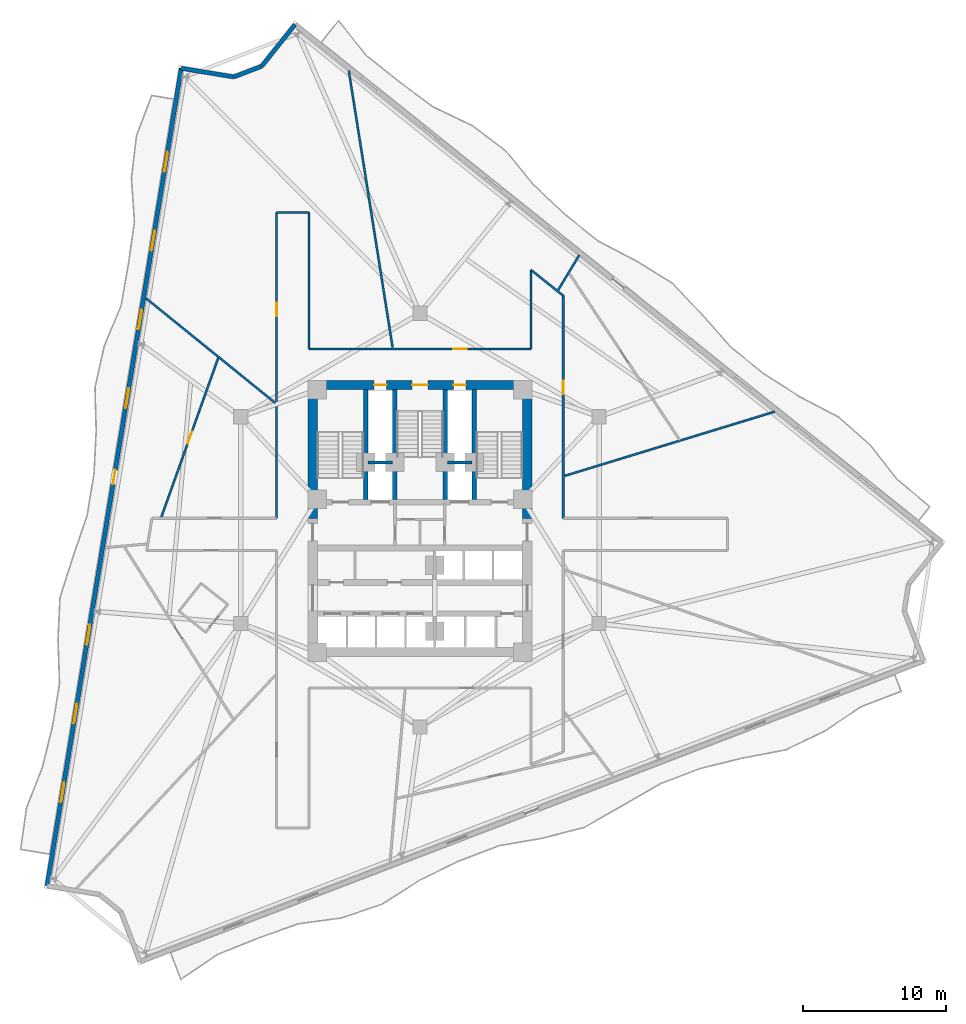
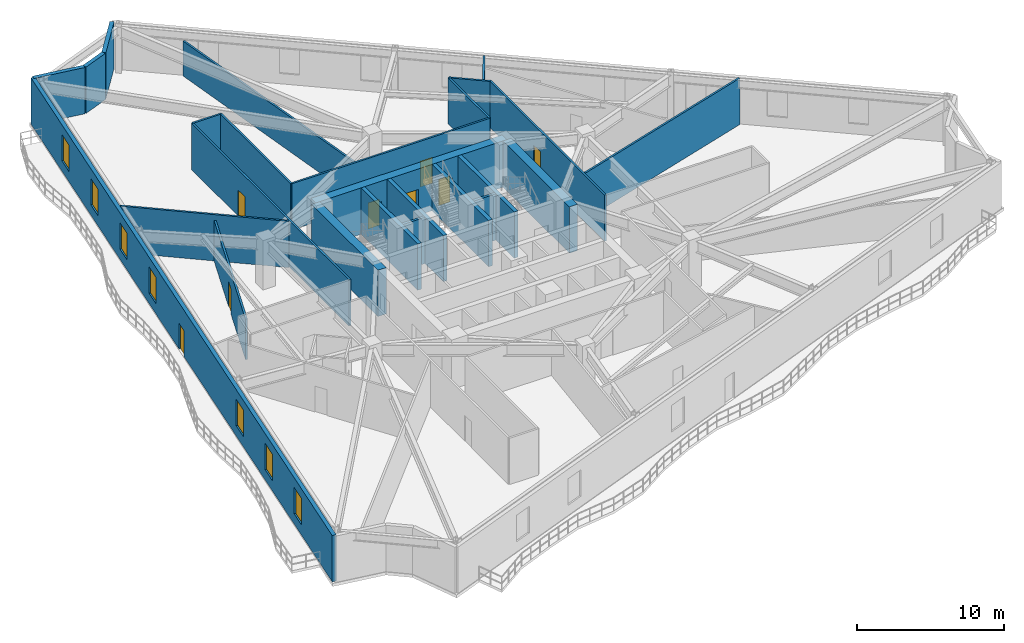
# One storey, part 6 of 11: 25 walls, 8 doors, 7 windows, 15 openings.
"""IFC4 building model written with IfcOpenShell, lengths in metres."""

from ifc_helpers import new_model, si_unit, direction, frame, frame_2d, origin, place, context, subcontext, project, spatial, rectangle, extrude, material, layer, layer_set, type_object, element, fill, save


model = new_model("IFC4")

# Units and contexts
model_context = context("Model", 3, precision=1e-05, world=origin(), true_north=direction((0.0, 1.0)))
body_context = subcontext(model_context, "Body", "Model", "MODEL_VIEW")
ifc_project = project(units=[si_unit("LENGTHUNIT", "METRE"), si_unit("AREAUNIT", "SQUARE_METRE"), si_unit("VOLUMEUNIT", "CUBIC_METRE"), si_unit("PLANEANGLEUNIT", "RADIAN"), si_unit("MASSUNIT", "GRAM", prefix="KILO")], contexts=[model_context])

# Site, building, storey
site_placement = place(None, origin())
site = spatial("IfcSite", under=ifc_project, at=site_placement, CompositionType="ELEMENT")
building_placement = place(site_placement, origin())
building = spatial("IfcBuilding", under=site, at=building_placement, Name="Apsidion Concourse Tower", CompositionType="ELEMENT")
storey_placement = place(building_placement, frame((0.0, 0.0, 140.39990234375)))
storey = spatial("IfcBuildingStorey", under=building, at=storey_placement, Name="L32", CompositionType="ELEMENT", Elevation=140.39990234375)

# Wall, openings, door, windows
ifc_material_1 = material(Name="Precast concrete C40/50", Category="concrete")
ifc_layer_1 = layer(ifc_material_1, 0.300048828125)
ifc_layer_set_1 = layer_set([ifc_layer_1], Name="Precast concrete C40/50")
wall_type_1 = type_object("IfcWallType", Name="WL-EXT-300", PredefinedType="STANDARD", material=ifc_layer_set_1)
wall_1_placement = place(storey_placement, frame((-26.149658203125, -25.64013671875, 0.0), z_axis=(0.0, 0.0, 1.0), x_axis=(0.161975761987, 0.986794736776, 0.0)))
wall_1 = element("IfcWall", 1, at=wall_1_placement, inside=storey, type_object=wall_type_1, Name="L32 Precast Stone Facade Wall 09", PredefinedType="STANDARD", context=body_context, shape_type="SweptSolid", body=[
    extrude(rectangle(XDim=58.093017578125, YDim=0.300048828125, at=frame_2d((29.04638671875, 0.0))), origin(), (0.0, 0.0, 1.0), 3.85009765625),
])
opening_1_placement = place(wall_1_placement, frame((28.54638671875, 0.0, 0.0)))
opening_1 = element("IfcOpeningElement", 2, at=opening_1_placement, cuts=wall_1, Name="Opening D-T1L", PredefinedType="OPENING", context=body_context, shape_type="SweptSolid", body=[
    extrude(rectangle(XDim=1.0, YDim=2.14990234375, at=frame_2d((0.5, 1.074951171875))), frame((0.0, 0.16015625, 0.0), z_axis=(0.0, -1.0, 0.0), x_axis=(1.0, 0.0, 0.0)), (0.0, 0.0, 1.0), 0.320068359375),
])
opening_2_placement = place(wall_1_placement, frame((5.946533203125, 0.0, 0.85009765625)))
opening_2 = element("IfcOpeningElement", 3, at=opening_2_placement, cuts=wall_1, Name="Opening WN-05", PredefinedType="OPENING", context=body_context, shape_type="SweptSolid", body=[
    extrude(rectangle(XDim=1.39990234375, YDim=2.199951171875, at=frame_2d((0.699951171875, 1.10009765625))), frame((0.0, 0.16015625, 0.0), z_axis=(0.0, -1.0, 0.0), x_axis=(1.0, 0.0, 0.0)), (0.0, 0.0, 1.0), 0.320068359375),
])
opening_3_placement = place(wall_1_placement, frame((11.54638671875, 0.0, 0.85009765625)))
opening_3 = element("IfcOpeningElement", 4, at=opening_3_placement, cuts=wall_1, Name="Opening WN-05", PredefinedType="OPENING", context=body_context, shape_type="SweptSolid", body=[
    extrude(rectangle(XDim=1.39990234375, YDim=2.199951171875, at=frame_2d((0.699951171875, 1.10009765625))), frame((0.0, 0.16015625, 0.0), z_axis=(0.0, -1.0, 0.0), x_axis=(1.0, 0.0, 0.0)), (0.0, 0.0, 1.0), 0.320068359375),
])
opening_4_placement = place(wall_1_placement, frame((17.146484375, 0.0, 0.85009765625)))
opening_4 = element("IfcOpeningElement", 5, at=opening_4_placement, cuts=wall_1, Name="Opening WN-05", PredefinedType="OPENING", context=body_context, shape_type="SweptSolid", body=[
    extrude(rectangle(XDim=1.39990234375, YDim=2.199951171875, at=frame_2d((0.699951171875, 1.10009765625))), frame((0.0, 0.16015625, 0.0), z_axis=(0.0, -1.0, 0.0), x_axis=(1.0, 0.0, 0.0)), (0.0, 0.0, 1.0), 0.320068359375),
])
opening_5_placement = place(wall_1_placement, frame((33.946533203125, 0.0, 0.85009765625)))
opening_5 = element("IfcOpeningElement", 6, at=opening_5_placement, cuts=wall_1, Name="Opening WN-05", PredefinedType="OPENING", context=body_context, shape_type="SweptSolid", body=[
    extrude(rectangle(XDim=1.39990234375, YDim=2.199951171875, at=frame_2d((0.699951171875, 1.10009765625))), frame((0.0, 0.16015625, 0.0), z_axis=(0.0, -1.0, 0.0), x_axis=(1.0, 0.0, 0.0)), (0.0, 0.0, 1.0), 0.320068359375),
])
opening_6_placement = place(wall_1_placement, frame((39.54638671875, 0.0, 0.85009765625)))
opening_6 = element("IfcOpeningElement", 7, at=opening_6_placement, cuts=wall_1, Name="Opening WN-05", PredefinedType="OPENING", context=body_context, shape_type="SweptSolid", body=[
    extrude(rectangle(XDim=1.39990234375, YDim=2.199951171875, at=frame_2d((0.699951171875, 1.10009765625))), frame((0.0, 0.16015625, 0.0), z_axis=(0.0, -1.0, 0.0), x_axis=(1.0, 0.0, 0.0)), (0.0, 0.0, 1.0), 0.320068359375),
])
opening_7_placement = place(wall_1_placement, frame((45.146484375, 0.0, 0.85009765625)))
opening_7 = element("IfcOpeningElement", 8, at=opening_7_placement, cuts=wall_1, Name="Opening WN-05", PredefinedType="OPENING", context=body_context, shape_type="SweptSolid", body=[
    extrude(rectangle(XDim=1.39990234375, YDim=2.199951171875, at=frame_2d((0.699951171875, 1.10009765625))), frame((0.0, 0.16015625, 0.0), z_axis=(0.0, -1.0, 0.0), x_axis=(1.0, 0.0, 0.0)), (0.0, 0.0, 1.0), 0.320068359375),
])
opening_8_placement = place(wall_1_placement, frame((50.74658203125, 0.0, 0.85009765625)))
opening_8 = element("IfcOpeningElement", 9, at=opening_8_placement, cuts=wall_1, Name="Opening WN-05", PredefinedType="OPENING", context=body_context, shape_type="SweptSolid", body=[
    extrude(rectangle(XDim=1.39990234375, YDim=2.199951171875, at=frame_2d((0.699951171875, 1.10009765625))), frame((0.0, 0.16015625, 0.0), z_axis=(0.0, -1.0, 0.0), x_axis=(1.0, 0.0, 0.0)), (0.0, 0.0, 1.0), 0.320068359375),
])
ifc_material_2 = material(Name="Anodised aluminium EN AW-6063 T6", Category="aluminium")
door_type_1 = type_object("IfcDoorType", Name="DR-TER-1022L", OperationType="SINGLE_SWING_LEFT", PredefinedType="DOOR", material=ifc_material_2)
door_1_placement = place(opening_1_placement, origin())
door_1 = element("IfcDoor", 10, at=door_1_placement, inside=storey, type_object=door_type_1, Name="L32 Balcony Access Door 1", OperationType="SINGLE_SWING_LEFT", OverallHeight=2.14990234375, OverallWidth=1.0, PredefinedType="DOOR", context=body_context, shape_type="SweptSolid", body=[
    extrude(rectangle(XDim=1.0, YDim=2.14990234375, at=frame_2d((0.5, 1.074951171875))), frame((0.0, 0.02490234375, 0.0), z_axis=(0.0, -1.0, 0.0), x_axis=(1.0, 0.0, 0.0)), (0.0, 0.0, 1.0), 0.050048828125),
])
fill(opening_1, door_1)
ifc_material_3 = material(Name="Insulated laminated low-E glass", Category="glass")
window_type = type_object("IfcWindowType", Name="WN-OFF-1424", PartitioningType="SINGLE_PANEL", PredefinedType="WINDOW", material=ifc_material_3)
window_1_placement = place(opening_2_placement, origin())
window_1 = element("IfcWindow", 11, at=window_1_placement, inside=storey, type_object=window_type, Name="L32 Punched Facade Window 9-01", OverallHeight=2.199951171875, OverallWidth=1.39990234375, PartitioningType="SINGLE_PANEL", PredefinedType="WINDOW", context=body_context, shape_type="SweptSolid", body=[
    extrude(rectangle(XDim=1.39990234375, YDim=2.199951171875, at=frame_2d((0.699951171875, 1.10009765625))), frame((0.0, 0.030029296875, 0.0), z_axis=(0.0, -1.0, 0.0), x_axis=(1.0, 0.0, 0.0)), (0.0, 0.0, 1.0), 0.06005859375),
])
fill(opening_2, window_1)
window_2_placement = place(opening_3_placement, origin())
window_2 = element("IfcWindow", 12, at=window_2_placement, inside=storey, type_object=window_type, Name="L32 Punched Facade Window 9-02", OverallHeight=2.199951171875, OverallWidth=1.39990234375, PartitioningType="SINGLE_PANEL", PredefinedType="WINDOW", context=body_context, shape_type="SweptSolid", body=[
    extrude(rectangle(XDim=1.39990234375, YDim=2.199951171875, at=frame_2d((0.699951171875, 1.10009765625))), frame((0.0, 0.030029296875, 0.0), z_axis=(0.0, -1.0, 0.0), x_axis=(1.0, 0.0, 0.0)), (0.0, 0.0, 1.0), 0.06005859375),
])
fill(opening_3, window_2)
window_3_placement = place(opening_4_placement, origin())
window_3 = element("IfcWindow", 13, at=window_3_placement, inside=storey, type_object=window_type, Name="L32 Punched Facade Window 9-03", OverallHeight=2.199951171875, OverallWidth=1.39990234375, PartitioningType="SINGLE_PANEL", PredefinedType="WINDOW", context=body_context, shape_type="SweptSolid", body=[
    extrude(rectangle(XDim=1.39990234375, YDim=2.199951171875, at=frame_2d((0.699951171875, 1.10009765625))), frame((0.0, 0.030029296875, 0.0), z_axis=(0.0, -1.0, 0.0), x_axis=(1.0, 0.0, 0.0)), (0.0, 0.0, 1.0), 0.06005859375),
])
fill(opening_4, window_3)
window_4_placement = place(opening_5_placement, origin())
window_4 = element("IfcWindow", 14, at=window_4_placement, inside=storey, type_object=window_type, Name="L32 Punched Facade Window 9-06", OverallHeight=2.199951171875, OverallWidth=1.39990234375, PartitioningType="SINGLE_PANEL", PredefinedType="WINDOW", context=body_context, shape_type="SweptSolid", body=[
    extrude(rectangle(XDim=1.39990234375, YDim=2.199951171875, at=frame_2d((0.699951171875, 1.10009765625))), frame((0.0, 0.030029296875, 0.0), z_axis=(0.0, -1.0, 0.0), x_axis=(1.0, 0.0, 0.0)), (0.0, 0.0, 1.0), 0.06005859375),
])
fill(opening_5, window_4)
window_5_placement = place(opening_6_placement, origin())
window_5 = element("IfcWindow", 15, at=window_5_placement, inside=storey, type_object=window_type, Name="L32 Punched Facade Window 9-07", OverallHeight=2.199951171875, OverallWidth=1.39990234375, PartitioningType="SINGLE_PANEL", PredefinedType="WINDOW", context=body_context, shape_type="SweptSolid", body=[
    extrude(rectangle(XDim=1.39990234375, YDim=2.199951171875, at=frame_2d((0.699951171875, 1.10009765625))), frame((0.0, 0.030029296875, 0.0), z_axis=(0.0, -1.0, 0.0), x_axis=(1.0, 0.0, 0.0)), (0.0, 0.0, 1.0), 0.06005859375),
])
fill(opening_6, window_5)
window_6_placement = place(opening_7_placement, origin())
window_6 = element("IfcWindow", 16, at=window_6_placement, inside=storey, type_object=window_type, Name="L32 Punched Facade Window 9-08", OverallHeight=2.199951171875, OverallWidth=1.39990234375, PartitioningType="SINGLE_PANEL", PredefinedType="WINDOW", context=body_context, shape_type="SweptSolid", body=[
    extrude(rectangle(XDim=1.39990234375, YDim=2.199951171875, at=frame_2d((0.699951171875, 1.10009765625))), frame((0.0, 0.030029296875, 0.0), z_axis=(0.0, -1.0, 0.0), x_axis=(1.0, 0.0, 0.0)), (0.0, 0.0, 1.0), 0.06005859375),
])
fill(opening_7, window_6)
window_7_placement = place(opening_8_placement, origin())
window_7 = element("IfcWindow", 17, at=window_7_placement, inside=storey, type_object=window_type, Name="L32 Punched Facade Window 9-09", OverallHeight=2.199951171875, OverallWidth=1.39990234375, PartitioningType="SINGLE_PANEL", PredefinedType="WINDOW", context=body_context, shape_type="SweptSolid", body=[
    extrude(rectangle(XDim=1.39990234375, YDim=2.199951171875, at=frame_2d((0.699951171875, 1.10009765625))), frame((0.0, 0.030029296875, 0.0), z_axis=(0.0, -1.0, 0.0), x_axis=(1.0, 0.0, 0.0)), (0.0, 0.0, 1.0), 0.06005859375),
])
fill(opening_8, window_7)

# Walls
wall_2_placement = place(storey_placement, frame((-16.739990234375, 31.685791015625, 0.0), z_axis=(0.0, 0.0, 1.0), x_axis=(0.986793455184, -0.161983569556, 0.0)))
element("IfcWall", 18, at=wall_2_placement, inside=storey, type_object=wall_type_1, Name="L32 Precast Stone Facade Wall 10", PredefinedType="STANDARD", context=body_context, shape_type="SweptSolid", body=[
    extrude(rectangle(XDim=3.73779296875, YDim=0.300048828125, at=frame_2d((1.868896484375, 0.0))), origin(), (0.0, 0.0, 1.0), 3.85009765625),
])
wall_3_placement = place(storey_placement, frame((-13.051513671875, 31.080322265625, 0.0), z_axis=(0.0, 0.0, 1.0), x_axis=(0.933582919313, 0.35836145547, 0.0)))
element("IfcWall", 19, at=wall_3_placement, inside=storey, type_object=wall_type_1, Name="L32 Precast Stone Facade Wall 11", PredefinedType="STANDARD", context=body_context, shape_type="SweptSolid", body=[
    extrude(rectangle(XDim=2.0927734375, YDim=0.300048828125, at=frame_2d((1.04638671875, 0.0))), origin(), (0.0, 0.0, 1.0), 3.85009765625),
])
wall_4_placement = place(storey_placement, frame((-11.09765625, 31.830322265625, 0.0), z_axis=(0.0, 0.0, 1.0), x_axis=(0.624949908599, 0.78066485238, 0.0)))
element("IfcWall", 20, at=wall_4_placement, inside=storey, type_object=wall_type_1, Name="L32 Precast Stone Facade Wall 12", PredefinedType="STANDARD", context=body_context, shape_type="SweptSolid", body=[
    extrude(rectangle(XDim=3.73779296875, YDim=0.300048828125, at=frame_2d((1.868896484375, 0.0))), origin(), (0.0, 0.0, 1.0), 3.85009765625),
])

# Wall, opening, door
ifc_material_4 = material(Name="Gypsum plasterboard partition")
ifc_layer_2 = layer(ifc_material_4, 0.14990234375)
ifc_layer_set_2 = layer_set([ifc_layer_2], Name="Gypsum plasterboard partition")
wall_type_2 = type_object("IfcWallType", Name="WL-INT-PAR-150", PredefinedType="PARTITIONING", material=ifc_layer_set_2)
wall_5_placement = place(storey_placement, frame((-10.050048828125, 0.1298828125, 0.0), z_axis=(0.0, 0.0, 1.0), x_axis=(0.0, 1.0, 0.0)))
wall_5 = element("IfcWall", 21, at=wall_5_placement, inside=storey, type_object=wall_type_2, Name="L32 Interior Partition WL-L32-CORR-10", PredefinedType="PARTITIONING", context=body_context, shape_type="SweptSolid", body=[
    extrude(rectangle(XDim=21.4501953125, YDim=0.14990234375, at=frame_2d((10.72509765625, 0.0))), origin(), (0.0, 0.0, 1.0), 3.85009765625),
])
opening_9_placement = place(wall_5_placement, frame((14.171142578125, 0.0, 0.0)))
opening_9 = element("IfcOpeningElement", 22, at=opening_9_placement, cuts=wall_5, Name="Opening D-01R", PredefinedType="OPENING", context=body_context, shape_type="SweptSolid", body=[
    extrude(rectangle(XDim=0.949951171875, YDim=2.14990234375, at=frame_2d((0.47509765625, 1.074951171875))), frame((0.0, 0.0849609375, 0.0), z_axis=(0.0, -1.0, 0.0), x_axis=(1.0, 0.0, 0.0)), (0.0, 0.0, 1.0), 0.169921875),
])
ifc_material_5 = material(Name="Brushed stainless steel 316", Category="steel")
door_type_2 = type_object("IfcDoorType", Name="DR-INT-D01R", OperationType="SINGLE_SWING_RIGHT", PredefinedType="DOOR", material=ifc_material_5)
door_2_placement = place(opening_9_placement, origin())
door_2 = element("IfcDoor", 23, at=door_2_placement, inside=storey, type_object=door_type_2, Name="L32 Corridor Entry Door 08", OperationType="SINGLE_SWING_RIGHT", OverallHeight=2.14990234375, OverallWidth=0.949951171875, PredefinedType="DOOR", context=body_context, shape_type="SweptSolid", body=[
    extrude(rectangle(XDim=0.949951171875, YDim=2.14990234375, at=frame_2d((0.47509765625, 1.074951171875))), frame((0.0, 0.02490234375, 0.0), z_axis=(0.0, -1.0, 0.0), x_axis=(1.0, 0.0, 0.0)), (0.0, 0.0, 1.0), 0.050048828125),
])
fill(opening_9, door_2)

# Walls
wall_6_placement = place(storey_placement, frame((-10.050048828125, 21.580078125, 0.0), z_axis=(0.0, 0.0, 1.0), x_axis=(1.0, 0.0, 0.0)))
element("IfcWall", 24, at=wall_6_placement, inside=storey, type_object=wall_type_2, Name="L32 Interior Partition WL-L32-CORR-11", PredefinedType="PARTITIONING", context=body_context, shape_type="SweptSolid", body=[
    extrude(rectangle(XDim=2.260009765625, YDim=0.14990234375, at=frame_2d((1.1298828125, 0.0))), origin(), (0.0, 0.0, 1.0), 3.85009765625),
])
wall_7_placement = place(storey_placement, frame((-7.7900390625, 21.580078125, 0.0), z_axis=(0.0, 0.0, 1.0), x_axis=(0.0, -1.0, 0.0)))
element("IfcWall", 25, at=wall_7_placement, inside=storey, type_object=wall_type_2, Name="L32 Interior Partition WL-L32-CORR-12", PredefinedType="PARTITIONING", context=body_context, shape_type="SweptSolid", body=[
    extrude(rectangle(XDim=9.580078125, YDim=0.14990234375, at=frame_2d((4.7900390625, 0.0))), origin(), (0.0, 0.0, 1.0), 3.85009765625),
])

# Wall, opening, door
wall_8_placement = place(storey_placement, frame((-7.7900390625, 12.0, 0.0), z_axis=(0.0, 0.0, 1.0), x_axis=(1.0, 0.0, 0.0)))
wall_8 = element("IfcWall", 26, at=wall_8_placement, inside=storey, type_object=wall_type_2, Name="L32 Interior Partition WL-L32-CORR-13", PredefinedType="PARTITIONING", context=body_context, shape_type="SweptSolid", body=[
    extrude(rectangle(XDim=15.580078125, YDim=0.14990234375, at=frame_2d((7.7900390625, 0.0))), origin(), (0.0, 0.0, 1.0), 3.85009765625),
])
opening_10_placement = place(wall_8_placement, frame((10.12548828125, 0.0, 0.0)))
opening_10 = element("IfcOpeningElement", 27, at=opening_10_placement, cuts=wall_8, Name="Opening D-01L", PredefinedType="OPENING", context=body_context, shape_type="SweptSolid", body=[
    extrude(rectangle(XDim=0.949951171875, YDim=2.14990234375, at=frame_2d((0.47509765625, 1.074951171875))), frame((0.0, 0.0849609375, 0.0), z_axis=(0.0, -1.0, 0.0), x_axis=(1.0, 0.0, 0.0)), (0.0, 0.0, 1.0), 0.169921875),
])
door_type_3 = type_object("IfcDoorType", Name="DR-INT-D01L", OperationType="SINGLE_SWING_LEFT", PredefinedType="DOOR", material=ifc_material_5)
door_3_placement = place(opening_10_placement, origin())
door_3 = element("IfcDoor", 28, at=door_3_placement, inside=storey, type_object=door_type_3, Name="L32 Corridor Entry Door 07", OperationType="SINGLE_SWING_LEFT", OverallHeight=2.14990234375, OverallWidth=0.949951171875, PredefinedType="DOOR", context=body_context, shape_type="SweptSolid", body=[
    extrude(rectangle(XDim=0.949951171875, YDim=2.14990234375, at=frame_2d((0.47509765625, 1.074951171875))), frame((0.0, 0.02490234375, 0.0), z_axis=(0.0, -1.0, 0.0), x_axis=(1.0, 0.0, 0.0)), (0.0, 0.0, 1.0), 0.050048828125),
])
fill(opening_10, door_3)

# Walls
wall_9_placement = place(storey_placement, frame((7.7900390625, 12.0, 0.0), z_axis=(0.0, 0.0, 1.0), x_axis=(0.0, 1.0, 0.0)))
element("IfcWall", 29, at=wall_9_placement, inside=storey, type_object=wall_type_2, Name="L32 Interior Partition WL-L32-CORR-14", PredefinedType="PARTITIONING", context=body_context, shape_type="SweptSolid", body=[
    extrude(rectangle(XDim=5.546630859375, YDim=0.14990234375, at=frame_2d((2.7734375, 0.0))), origin(), (0.0, 0.0, 1.0), 3.85009765625),
])
wall_10_placement = place(storey_placement, frame((7.7900390625, 17.546630859375, 0.0), z_axis=(0.0, 0.0, 1.0), x_axis=(0.780646621428, -0.624972681366, 0.0)))
element("IfcWall", 30, at=wall_10_placement, inside=storey, type_object=wall_type_2, Name="L32 Interior Partition WL-L32-CORR-15", PredefinedType="PARTITIONING", context=body_context, shape_type="SweptSolid", body=[
    extrude(rectangle(XDim=2.89501953125, YDim=0.14990234375, at=frame_2d((1.447509765625, 0.0))), origin(), (0.0, 0.0, 1.0), 3.85009765625),
])

# Wall, opening, door
wall_11_placement = place(storey_placement, frame((10.050048828125, 15.7373046875, 0.0), z_axis=(0.0, 0.0, 1.0), x_axis=(0.0, -1.0, 0.0)))
wall_11 = element("IfcWall", 31, at=wall_11_placement, inside=storey, type_object=wall_type_2, Name="L32 Interior Partition WL-L32-CORR-16", PredefinedType="PARTITIONING", context=body_context, shape_type="SweptSolid", body=[
    extrude(rectangle(XDim=15.607421875, YDim=0.14990234375, at=frame_2d((7.8037109375, 0.0))), origin(), (0.0, 0.0, 1.0), 3.85009765625),
])
opening_11_placement = place(wall_11_placement, frame((5.970947265625, 0.0, 0.0)))
opening_11 = element("IfcOpeningElement", 32, at=opening_11_placement, cuts=wall_11, Name="Opening D-01R", PredefinedType="OPENING", context=body_context, shape_type="SweptSolid", body=[
    extrude(rectangle(XDim=0.949951171875, YDim=2.14990234375, at=frame_2d((0.47509765625, 1.074951171875))), frame((0.0, 0.0849609375, 0.0), z_axis=(0.0, -1.0, 0.0), x_axis=(1.0, 0.0, 0.0)), (0.0, 0.0, 1.0), 0.169921875),
])
door_4_placement = place(opening_11_placement, origin())
door_4 = element("IfcDoor", 33, at=door_4_placement, inside=storey, type_object=door_type_2, Name="L32 Corridor Entry Door 06", OperationType="SINGLE_SWING_RIGHT", OverallHeight=2.14990234375, OverallWidth=0.949951171875, PredefinedType="DOOR", context=body_context, shape_type="SweptSolid", body=[
    extrude(rectangle(XDim=0.949951171875, YDim=2.14990234375, at=frame_2d((0.47509765625, 1.074951171875))), frame((0.0, 0.02490234375, 0.0), z_axis=(0.0, -1.0, 0.0), x_axis=(1.0, 0.0, 0.0)), (0.0, 0.0, 1.0), 0.050048828125),
])
fill(opening_11, door_4)

# Walls
wall_12_placement = place(storey_placement, frame((10.155029296875, 3.104736328125, 0.0), z_axis=(0.0, 0.0, 1.0), x_axis=(0.956304415169, 0.292372819408, 0.0)))
element("IfcWall", 34, at=wall_12_placement, inside=storey, type_object=wall_type_2, Name="L32 Interior Partition WL-L32-RAD-01-1", PredefinedType="PARTITIONING", context=body_context, shape_type="SweptSolid", body=[
    extrude(rectangle(XDim=15.397216796875, YDim=0.14990234375, at=frame_2d((7.69873046875, 0.0))), origin(), (0.0, 0.0, 1.0), 3.85009765625),
])
wall_13_placement = place(storey_placement, frame((9.70361328125, 16.1494140625, 0.0), z_axis=(0.0, 0.0, 1.0), x_axis=(0.515051836846, 0.857159031547, 0.0)))
element("IfcWall", 35, at=wall_13_placement, inside=storey, type_object=wall_type_2, Name="L32 Interior Partition WL-L32-RAD-02-2", PredefinedType="PARTITIONING", context=body_context, shape_type="SweptSolid", body=[
    extrude(rectangle(XDim=2.84033203125, YDim=0.14990234375, at=frame_2d((1.420166015625, 0.0))), origin(), (0.0, 0.0, 1.0), 3.85009765625),
])
wall_14_placement = place(storey_placement, frame((-1.917236328125, 12.10498046875, 0.0), z_axis=(0.0, 0.0, 1.0), x_axis=(-0.156433889955, 0.98768843168, 0.0)))
element("IfcWall", 36, at=wall_14_placement, inside=storey, type_object=wall_type_2, Name="L32 Interior Partition WL-L32-RAD-03-1", PredefinedType="PARTITIONING", context=body_context, shape_type="SweptSolid", body=[
    extrude(rectangle(XDim=19.656494140625, YDim=0.14990234375, at=frame_2d((9.828125, 0.0))), origin(), (0.0, 0.0, 1.0), 2.898193359375),
])
wall_15_placement = place(storey_placement, frame((-10.155029296875, 8.223388671875, 0.0), z_axis=(0.0, 0.0, 1.0), x_axis=(-0.777144444288, 0.629322264593, 0.0)))
element("IfcWall", 37, at=wall_15_placement, inside=storey, type_object=wall_type_2, Name="L32 Interior Partition WL-L32-RAD-04-1", PredefinedType="PARTITIONING", context=body_context, shape_type="SweptSolid", body=[
    extrude(rectangle(XDim=11.66357421875, YDim=0.14990234375, at=frame_2d((5.831787109375, 0.0))), origin(), (0.0, 0.0, 1.0), 3.85009765625),
])

# Wall, opening, door
wall_16_placement = place(storey_placement, frame((-14.132568359375, 11.412109375, 0.0), z_axis=(0.0, 0.0, 1.0), x_axis=(-0.336734629302, -0.941599590818, 0.0)))
wall_16 = element("IfcWall", 38, at=wall_16_placement, inside=storey, type_object=wall_type_2, Name="L32 Interior Partition WL-L32-CHD-OFS08", PredefinedType="PARTITIONING", context=body_context, shape_type="SweptSolid", body=[
    extrude(rectangle(XDim=11.960693359375, YDim=0.14990234375, at=frame_2d((5.98046875, 0.0))), origin(), (0.0, 0.0, 1.0), 3.3671875),
])
opening_12_placement = place(wall_16_placement, frame((5.5302734375, 0.0, 0.0)))
opening_12 = element("IfcOpeningElement", 39, at=opening_12_placement, cuts=wall_16, Name="Opening D-02L", PredefinedType="OPENING", context=body_context, shape_type="SweptSolid", body=[
    extrude(rectangle(XDim=0.89990234375, YDim=2.10009765625, at=frame_2d((0.449951171875, 1.050048828125))), frame((0.0, 0.0849609375, 0.0), z_axis=(0.0, -1.0, 0.0), x_axis=(1.0, 0.0, 0.0)), (0.0, 0.0, 1.0), 0.169921875),
])
door_type_4 = type_object("IfcDoorType", Name="DR-INT-D02L", OperationType="SINGLE_SWING_LEFT", PredefinedType="DOOR", material=ifc_material_2)
door_5_placement = place(opening_12_placement, origin())
door_5 = element("IfcDoor", 40, at=door_5_placement, inside=storey, type_object=door_type_4, Name="L32 Suite Connecting Door OFS08", OperationType="SINGLE_SWING_LEFT", OverallHeight=2.10009765625, OverallWidth=0.89990234375, PredefinedType="DOOR", context=body_context, shape_type="SweptSolid", body=[
    extrude(rectangle(XDim=0.89990234375, YDim=2.10009765625, at=frame_2d((0.449951171875, 1.050048828125))), frame((0.0, 0.02490234375, 0.0), z_axis=(0.0, -1.0, 0.0), x_axis=(1.0, 0.0, 0.0)), (0.0, 0.0, 1.0), 0.050048828125),
])
fill(opening_12, door_5)

# Walls
ifc_layer_3 = layer(ifc_material_4, 0.199951171875)
ifc_layer_set_3 = layer_set([ifc_layer_3], Name="Gypsum plasterboard partition")
wall_type_3 = type_object("IfcWallType", Name="WL-INT-PAR-200", PredefinedType="PARTITIONING", material=ifc_layer_set_3)
for number, where, z_axis, x_axis, name in (
    (41, (-3.64990234375, 4.050048828125, 0.0), (0.0, 0.0, 1.0), (1.0, 0.0, 0.0), "L32 Interior Partition WL-L32-FF1-N"),
    (42, (1.919921875, 4.050048828125, 0.0), (0.0, 0.0, 1.0), (1.0, 0.0, 0.0), "L32 Interior Partition WL-L32-FF2-N"),
):
    element("IfcWall", number, at=place(storey_placement, frame(where, z_axis=z_axis, x_axis=x_axis)), inside=storey, type_object=wall_type_3, Name=name, PredefinedType="PARTITIONING", context=body_context, shape_type="SweptSolid", body=[
        extrude(rectangle(XDim=1.72998046875, YDim=0.199951171875, at=frame_2d((0.864990234375, 0.0))), origin(), (0.0, 0.0, 1.0), 3.85009765625),
    ])
ifc_material_6 = material(Name="Concrete C50/60", Category="concrete")
ifc_layer_4 = layer(ifc_material_6, 0.300048828125)
ifc_layer_set_4 = layer_set([ifc_layer_4], Name="Concrete C50/60")
wall_type_4 = type_object("IfcWallType", Name="WL-SH-300", PredefinedType="SHEAR", material=ifc_layer_set_4)
for number, where, z_axis, x_axis, name in (
    (43, (-3.800048828125, 1.449951171875, 0.0), (0.0, 0.0, 1.0), (0.0, 1.0, 0.0), "L32 Central Core Shear Wall V1"),
    (44, (-1.77490234375, 1.449951171875, 0.0), (0.0, 0.0, 1.0), (0.0, 1.0, 0.0), "L32 Central Core Shear Wall V2"),
    (45, (1.77490234375, 1.449951171875, 0.0), (0.0, 0.0, 1.0), (0.0, 1.0, 0.0), "L32 Central Core Shear Wall V3"),
    (46, (3.800048828125, 1.449951171875, 0.0), (0.0, 0.0, 1.0), (0.0, 1.0, 0.0), "L32 Central Core Shear Wall V4"),
):
    element("IfcWall", number, at=place(storey_placement, frame(where, z_axis=z_axis, x_axis=x_axis)), inside=storey, type_object=wall_type_4, Name=name, PredefinedType="SHEAR", context=body_context, shape_type="SweptSolid", body=[
        extrude(rectangle(XDim=7.699951171875, YDim=0.300048828125, at=frame_2d((3.85009765625, 0.0))), origin(), (0.0, 0.0, 1.0), 3.85009765625),
    ])

# Wall, openings, doors
ifc_layer_5 = layer(ifc_material_6, 0.64990234375)
ifc_layer_set_5 = layer_set([ifc_layer_5], Name="Concrete C50/60")
wall_type_5 = type_object("IfcWallType", Name="WL-SH-650", PredefinedType="SHEAR", material=ifc_layer_set_5)
wall_17_placement = place(storey_placement, frame((-7.52490234375, 9.47509765625, 0.0), z_axis=(0.0, 0.0, 1.0), x_axis=(1.0, 0.0, 0.0)))
wall_17 = element("IfcWall", 47, at=wall_17_placement, inside=storey, type_object=wall_type_5, Name="L32 Central Core Shear Wall N", PredefinedType="SHEAR", context=body_context, shape_type="SweptSolid", body=[
    extrude(rectangle(XDim=15.0498046875, YDim=0.64990234375, at=frame_2d((7.52490234375, 0.0))), origin(), (0.0, 0.0, 1.0), 3.85009765625),
])
opening_13_placement = place(wall_17_placement, frame((6.97509765625, 0.0, 0.0)))
opening_13 = element("IfcOpeningElement", 48, at=opening_13_placement, cuts=wall_17, Name="Opening D-STL", PredefinedType="OPENING", context=body_context, shape_type="SweptSolid", body=[
    extrude(rectangle(XDim=1.10009765625, YDim=2.14990234375, at=frame_2d((0.550048828125, 1.074951171875))), frame((0.0, 0.3349609375, 0.0), z_axis=(0.0, -1.0, 0.0), x_axis=(1.0, 0.0, 0.0)), (0.0, 0.0, 1.0), 0.669921875),
])
opening_14_placement = place(wall_17_placement, frame((4.304931640625, 0.0, 0.0)))
opening_14 = element("IfcOpeningElement", 49, at=opening_14_placement, cuts=wall_17, Name="Opening D-05L", PredefinedType="OPENING", context=body_context, shape_type="SweptSolid", body=[
    extrude(rectangle(XDim=0.8798828125, YDim=2.14990234375, at=frame_2d((0.43994140625, 1.074951171875))), frame((0.0, 0.3349609375, 0.0), z_axis=(0.0, -1.0, 0.0), x_axis=(1.0, 0.0, 0.0)), (0.0, 0.0, 1.0), 0.669921875),
])
opening_15_placement = place(wall_17_placement, frame((9.864990234375, 0.0, 0.0)))
opening_15 = element("IfcOpeningElement", 50, at=opening_15_placement, cuts=wall_17, Name="Opening D-05R", PredefinedType="OPENING", context=body_context, shape_type="SweptSolid", body=[
    extrude(rectangle(XDim=0.8798828125, YDim=2.14990234375, at=frame_2d((0.43994140625, 1.074951171875))), frame((0.0, 0.3349609375, 0.0), z_axis=(0.0, -1.0, 0.0), x_axis=(1.0, 0.0, 0.0)), (0.0, 0.0, 1.0), 0.669921875),
])
door_type_5 = type_object("IfcDoorType", Name="DR-INT-D05L", OperationType="SINGLE_SWING_LEFT", PredefinedType="DOOR", material=ifc_material_5)
door_6_placement = place(opening_14_placement, origin())
door_6 = element("IfcDoor", 51, at=door_6_placement, inside=storey, type_object=door_type_5, Name="L32 Electrical Riser Shaft Access Door", OperationType="SINGLE_SWING_LEFT", OverallHeight=2.14990234375, OverallWidth=0.8798828125, PredefinedType="DOOR", context=body_context, shape_type="SweptSolid", body=[
    extrude(rectangle(XDim=0.8798828125, YDim=2.14990234375, at=frame_2d((0.43994140625, 1.074951171875))), frame((0.0, 0.02490234375, 0.0), z_axis=(0.0, -1.0, 0.0), x_axis=(1.0, 0.0, 0.0)), (0.0, 0.0, 1.0), 0.050048828125),
])
fill(opening_14, door_6)
door_type_6 = type_object("IfcDoorType", Name="DR-INT-D05R", OperationType="SINGLE_SWING_RIGHT", PredefinedType="DOOR", material=ifc_material_5)
door_7_placement = place(opening_15_placement, origin())
door_7 = element("IfcDoor", 52, at=door_7_placement, inside=storey, type_object=door_type_6, Name="L32 Mechanical Riser Shaft Access Door", OperationType="SINGLE_SWING_RIGHT", OverallHeight=2.14990234375, OverallWidth=0.8798828125, PredefinedType="DOOR", context=body_context, shape_type="SweptSolid", body=[
    extrude(rectangle(XDim=0.8798828125, YDim=2.14990234375, at=frame_2d((0.43994140625, 1.074951171875))), frame((0.0, 0.02490234375, 0.0), z_axis=(0.0, -1.0, 0.0), x_axis=(1.0, 0.0, 0.0)), (0.0, 0.0, 1.0), 0.050048828125),
])
fill(opening_15, door_7)
door_type_7 = type_object("IfcDoorType", Name="DR-INT-ST1L", OperationType="SINGLE_SWING_LEFT", PredefinedType="DOOR", material=ifc_material_5)
door_8_placement = place(opening_13_placement, origin())
door_8 = element("IfcDoor", 53, at=door_8_placement, inside=storey, type_object=door_type_7, Name="L32 Core Exit Stair ST3 Door", OperationType="SINGLE_SWING_LEFT", OverallHeight=2.14990234375, OverallWidth=1.10009765625, PredefinedType="DOOR", context=body_context, shape_type="SweptSolid", body=[
    extrude(rectangle(XDim=1.10009765625, YDim=2.14990234375, at=frame_2d((0.550048828125, 1.074951171875))), frame((0.0, 0.02490234375, 0.0), z_axis=(0.0, -1.0, 0.0), x_axis=(1.0, 0.0, 0.0)), (0.0, 0.0, 1.0), 0.050048828125),
])
fill(opening_13, door_8)

# Walls
for number, where, z_axis, x_axis, name in (
    (54, (-7.52490234375, 0.10009765625, 0.0), (0.0, 0.0, 1.0), (0.0, 1.0, 0.0), "L32 Central Core Shear Wall WN"),
    (55, (7.52490234375, 0.10009765625, 0.0), (0.0, 0.0, 1.0), (0.0, 1.0, 0.0), "L32 Central Core Shear Wall EN"),
):
    element("IfcWall", number, at=place(storey_placement, frame(where, z_axis=z_axis, x_axis=x_axis)), inside=storey, type_object=wall_type_5, Name=name, PredefinedType="SHEAR", context=body_context, shape_type="SweptSolid", body=[
        extrude(rectangle(XDim=9.0498046875, YDim=0.64990234375, at=frame_2d((4.52490234375, 0.0))), origin(), (0.0, 0.0, 1.0), 3.85009765625),
    ])

save(model, "model.ifc")
